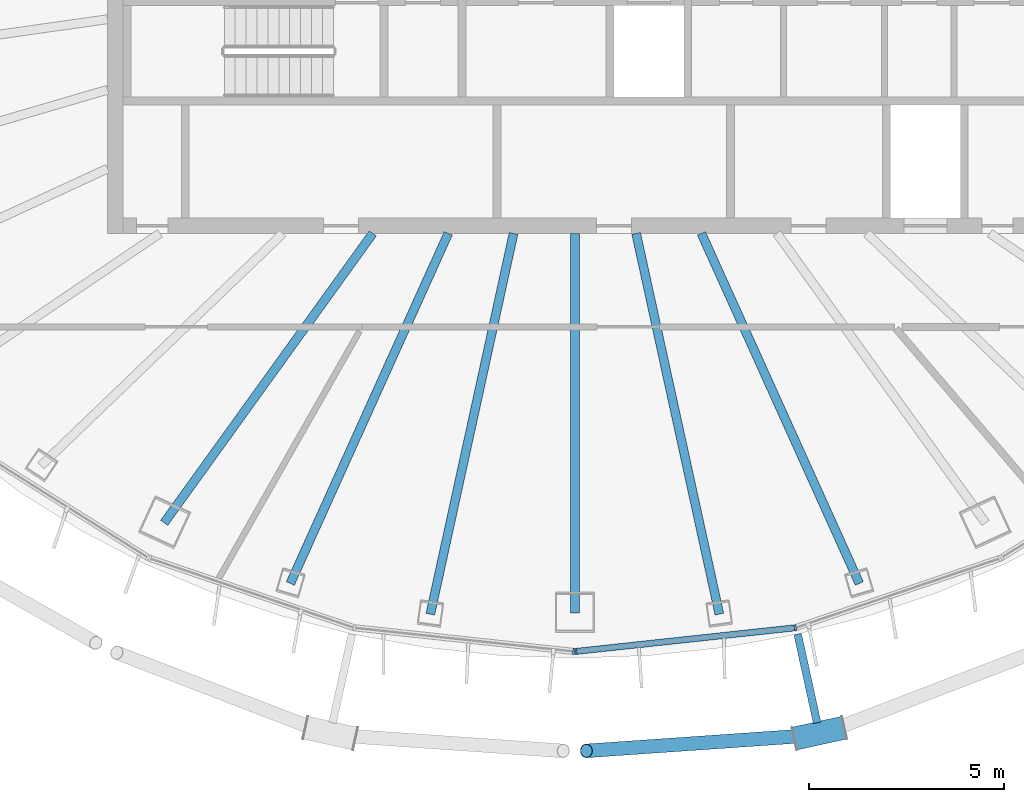
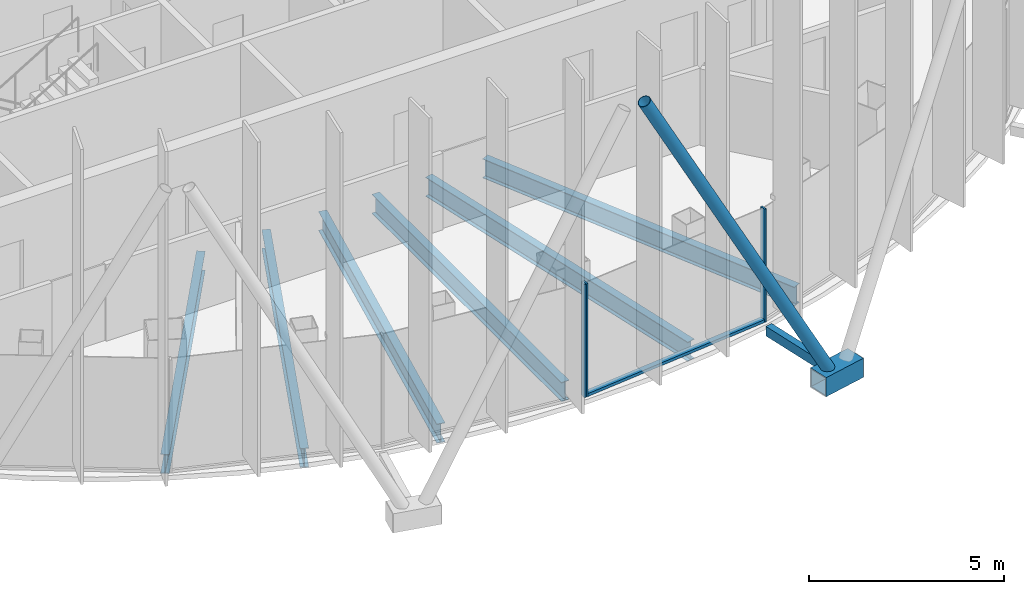
# One storey, part 3 of 19: 7 members, 6 beams, 2 elements without a shape of their own.
"""IFC4 building model written with IfcOpenShell, lengths in metres."""

from ifc_helpers import new_model, si_unit, direction, frame, origin, origin_2d, place, context, subcontext, project, spatial, rectangle, hollow_rectangle, hollow_circle, i_section, extrude, material, layer, layer_set, material_profile, profile_set, type_object, element, aggregate, save


model = new_model("IFC4")

# Units and contexts
model_context = context("Model", 3, precision=1e-05, world=origin(), true_north=direction((0.0, 1.0)))
body_context = subcontext(model_context, "Body", "Model", "MODEL_VIEW")
ifc_project = project(units=[si_unit("LENGTHUNIT", "METRE"), si_unit("AREAUNIT", "SQUARE_METRE"), si_unit("VOLUMEUNIT", "CUBIC_METRE"), si_unit("PLANEANGLEUNIT", "RADIAN"), si_unit("MASSUNIT", "GRAM", prefix="KILO")], contexts=[model_context])

# Site, building, storey
site_placement = place(None, origin())
site = spatial("IfcSite", under=ifc_project, at=site_placement, CompositionType="ELEMENT")
building_placement = place(site_placement, origin())
building = spatial("IfcBuilding", under=site, at=building_placement, Name="Siaravel Broadcast Tower", CompositionType="ELEMENT")
storey_placement = place(building_placement, frame((0.0, 0.0, 217.10009765625)))
storey = spatial("IfcBuildingStorey", under=building, at=storey_placement, Name="L52", CompositionType="ELEMENT", Elevation=217.10009765625)

# Beams
ifc_material_1 = material(Name="Steel S355", Category="steel")
ifc_material_profile_1 = material_profile(ifc_material_1, i_section(OverallWidth=0.2275390625, OverallDepth=0.6025390625, WebThickness=0.010498046875, FlangeThickness=0.014892578125, FilletRadius=0.0126953125, at=origin_2d()))
ifc_profile_set_1 = profile_set([ifc_material_profile_1], Name="Steel S355")
beam_type = type_object("IfcBeamType", Name="BM-UB 610x229x101", PredefinedType="BEAM", material=ifc_profile_set_1)
beam_1_placement = place(storey_placement, frame((-10.5439453125, -14.6318359375, -0.451416015625), z_axis=(0.584629048, 0.811300731, 0.0), x_axis=(-0.811300731, 0.584629048, 0.0)))
element("IfcBeam", 1, at=beam_1_placement, inside=storey, type_object=beam_type, Name="Radial beam RB25", PredefinedType="BEAM", context=body_context, shape_type="SweptSolid", body=[
    extrude(i_section(OverallWidth=0.2275390625, OverallDepth=0.6025390625, WebThickness=0.010498046875, FlangeThickness=0.014892578125, FilletRadius=0.0126953125, at=origin_2d()), origin(), (0.0, 0.0, 1.0), 9.160400390625),
])
beam_2_placement = place(storey_placement, frame((-7.3056640625, -16.188720703125, -0.451416015625), z_axis=(0.411330004, 0.911486493, 0.0), x_axis=(-0.911486493, 0.411330004, 0.0)))
element("IfcBeam", 2, at=beam_2_placement, inside=storey, type_object=beam_type, Name="Radial beam RB26", PredefinedType="BEAM", context=body_context, shape_type="SweptSolid", body=[
    extrude(i_section(OverallWidth=0.2275390625, OverallDepth=0.6025390625, WebThickness=0.010498046875, FlangeThickness=0.014892578125, FilletRadius=0.0126953125, at=origin_2d()), origin(), (0.0, 0.0, 1.0), 9.861572265625),
])
beam_3_placement = place(storey_placement, frame((-3.710693359375, -16.977783203125, -0.451416015625), z_axis=(0.213512097, 0.97694042, 0.0), x_axis=(-0.97694042, 0.213512097, 0.0)))
element("IfcBeam", 3, at=beam_3_placement, inside=storey, type_object=beam_type, Name="Radial beam RB27", PredefinedType="BEAM", context=body_context, shape_type="SweptSolid", body=[
    extrude(i_section(OverallWidth=0.2275390625, OverallDepth=0.6025390625, WebThickness=0.010498046875, FlangeThickness=0.014892578125, FilletRadius=0.0126953125, at=origin_2d()), origin(), (0.0, 0.0, 1.0), 10.008544921875),
])
beam_4_placement = place(storey_placement, frame((0.0, -16.943603515625, -0.451416015625), z_axis=(0.0, 1.0, 0.0), x_axis=(-1.0, 0.0, 0.0)))
element("IfcBeam", 4, at=beam_4_placement, inside=storey, type_object=beam_type, Name="Radial beam RB28", PredefinedType="BEAM", context=body_context, shape_type="SweptSolid", body=[
    extrude(i_section(OverallWidth=0.2275390625, OverallDepth=0.6025390625, WebThickness=0.010498046875, FlangeThickness=0.014892578125, FilletRadius=0.0126953125, at=origin_2d()), origin(), (0.0, 0.0, 1.0), 9.74365234375),
])
beam_5_placement = place(storey_placement, frame((3.710693359375, -16.977783203125, -0.451416015625), z_axis=(-0.213512097, 0.97694042, 0.0), x_axis=(-0.97694042, -0.213512097, 0.0)))
element("IfcBeam", 5, at=beam_5_placement, inside=storey, type_object=beam_type, Name="Radial beam RB29", PredefinedType="BEAM", context=body_context, shape_type="SweptSolid", body=[
    extrude(i_section(OverallWidth=0.2275390625, OverallDepth=0.6025390625, WebThickness=0.010498046875, FlangeThickness=0.014892578125, FilletRadius=0.0126953125, at=origin_2d()), origin(), (0.0, 0.0, 1.0), 10.008544921875),
])
beam_6_placement = place(storey_placement, frame((7.3056640625, -16.188720703125, -0.451416015625), z_axis=(-0.411330004, 0.911486493, 0.0), x_axis=(-0.911486493, -0.411330004, 0.0)))
element("IfcBeam", 6, at=beam_6_placement, inside=storey, type_object=beam_type, Name="Radial beam RB30", PredefinedType="BEAM", context=body_context, shape_type="SweptSolid", body=[
    extrude(i_section(OverallWidth=0.2275390625, OverallDepth=0.6025390625, WebThickness=0.010498046875, FlangeThickness=0.014892578125, FilletRadius=0.0126953125, at=origin_2d()), origin(), (0.0, 0.0, 1.0), 9.861572265625),
])

# Curtain wall, member
ifc_material_2 = material(Name="Aluminium 6063-T6", Category="aluminium")
ifc_layer = layer(ifc_material_2, 0.159912109375)
ifc_layer_set = layer_set([ifc_layer], Name="Aluminium 6063-T6")
curtain_wall_type = type_object("IfcCurtainWallType", Name="Unitised curtain wall, zone 4", PredefinedType="NOTDEFINED", material=ifc_layer_set)
curtain_wall_1_placement = place(storey_placement, origin())
curtain_wall_1 = element("IfcCurtainWall", 7, at=curtain_wall_1_placement, inside=storey, type_object=curtain_wall_type, Name="L52 Unitised curtain wall, zone 4 09", PredefinedType="NOTDEFINED")
ifc_material_profile_2 = material_profile(ifc_material_2, rectangle(XDim=0.159912109375, YDim=0.054931640625, at=origin_2d()))
ifc_profile_set_2 = profile_set([ifc_material_profile_2], Name="Aluminium 6063-T6")
member_type_1 = type_object("IfcMemberType", Name="CW-Z4 mullion", PredefinedType="MULLION", material=ifc_profile_set_2)
member_1_placement = place(storey_placement, frame((-0.02734375, -17.933349609375, 0.0), z_axis=(0.0, 0.0, 1.0), x_axis=(0.107217705, 0.994235568, 0.0)))
member_1 = element("IfcMember", 8, at=member_1_placement, type_object=member_type_1, Name="CW-Z4 mullion 3", PredefinedType="MULLION", context=body_context, shape_type="SweptSolid", body=[
    extrude(rectangle(XDim=0.159912109375, YDim=0.054931640625, at=origin_2d()), origin(), (0.0, 0.0, 1.0), 3.5498046875),
])
aggregate(curtain_wall_1, [member_1])

# Curtain wall, members
curtain_wall_2_placement = place(storey_placement, origin())
curtain_wall_2 = element("IfcCurtainWall", 9, at=curtain_wall_2_placement, inside=storey, type_object=curtain_wall_type, Name="L52 Unitised curtain wall, zone 4 10", PredefinedType="NOTDEFINED")
member_2_placement = place(storey_placement, frame((0.02734375, -17.933349609375, 0.0), z_axis=(0.0, 0.0, 1.0), x_axis=(-0.107217705, 0.994235568, 0.0)))
member_2 = element("IfcMember", 10, at=member_2_placement, type_object=member_type_1, Name="CW-Z4 mullion 1", PredefinedType="MULLION", context=body_context, shape_type="SweptSolid", body=[
    extrude(rectangle(XDim=0.159912109375, YDim=0.054931640625, at=origin_2d()), origin(), (0.0, 0.0, 1.0), 3.5498046875),
])
member_3_placement = place(storey_placement, frame((5.662353515625, -17.32568359375, 0.0), z_axis=(0.0, 0.0, 1.0), x_axis=(-0.215558493, 0.97649093, 0.0)))
member_3 = element("IfcMember", 11, at=member_3_placement, type_object=member_type_1, Name="CW-Z4 mullion 2", PredefinedType="MULLION", context=body_context, shape_type="SweptSolid", body=[
    extrude(rectangle(XDim=0.159912109375, YDim=0.054931640625, at=origin_2d()), origin(), (0.0, 0.0, 1.0), 3.5498046875),
])
ifc_material_profile_3 = material_profile(ifc_material_2, rectangle(XDim=0.159912109375, YDim=0.090087890625, at=origin_2d()))
ifc_profile_set_3 = profile_set([ifc_material_profile_3], Name="Aluminium 6063-T6")
member_type_2 = type_object("IfcMemberType", Name="CW-Z4 transom", PredefinedType="USERDEFINED", material=ifc_profile_set_3)
member_4_placement = place(storey_placement, frame((0.0546875, -17.930419921875, 0.044921875), z_axis=(0.994235028, 0.107222704, 0.0), x_axis=(-0.107222704, 0.994235028, 0.0)))
member_4 = element("IfcMember", 12, at=member_4_placement, type_object=member_type_2, Name="CW-Z4 transom 1", ObjectType="TRANSOM", PredefinedType="USERDEFINED", context=body_context, shape_type="SweptSolid", body=[
    extrude(rectangle(XDim=0.159912109375, YDim=0.090087890625, at=origin_2d()), origin(), (0.0, 0.0, 1.0), 5.61279296875),
])
aggregate(curtain_wall_2, [member_2, member_3, member_4])

# Members
ifc_material_3 = material(Name="Steel S460", Category="steel")
ifc_material_profile_4 = material_profile(ifc_material_3, hollow_circle(Radius=0.177734375, WallThickness=0.012451171875, at=origin_2d()))
ifc_profile_set_4 = profile_set([ifc_material_profile_4], Name="Steel S460")
member_type_3 = type_object("IfcMemberType", Name="Diagrid diagonal CHS 355.6x12.5", PredefinedType="BRACE", material=ifc_profile_set_4)
member_5_placement = place(storey_placement, frame((5.990234375, -20.093505859375, 0.06982421875), z_axis=(-0.472653432, -0.032604475, 0.880645037), x_axis=(0.068818238, -0.997629215, 0.0)))
element("IfcMember", 13, at=member_5_placement, inside=storey, type_object=member_type_3, Name="Diagrid diagonal R22 station 57C", PredefinedType="BRACE", context=body_context, shape_type="SweptSolid", body=[
    extrude(hollow_circle(Radius=0.177734375, WallThickness=0.012451171875, at=origin_2d()), origin(), (0.0, 0.0, 1.0), 12.048095703125),
])
ifc_material_profile_5 = material_profile(ifc_material_3, hollow_rectangle(XDim=0.60009765625, YDim=0.60009765625, WallThickness=0.031982421875, at=origin_2d()))
ifc_profile_set_5 = profile_set([ifc_material_profile_5], Name="Steel S460")
member_type_4 = type_object("IfcMemberType", Name="Diagrid node BOX 600x600x32", PredefinedType="USERDEFINED", material=ifc_profile_set_5)
member_6_placement = place(storey_placement, frame((5.647216796875, -20.168701171875, -0.2001953125), z_axis=(0.976743379, 0.214411687, 0.0), x_axis=(-0.214411687, 0.976743379, 0.0)))
element("IfcMember", 14, at=member_6_placement, inside=storey, type_object=member_type_4, Name="Diagrid node R22 station 57", ObjectType="DIAGRID NODE", PredefinedType="USERDEFINED", context=body_context, shape_type="SweptSolid", body=[
    extrude(hollow_rectangle(XDim=0.60009765625, YDim=0.60009765625, WallThickness=0.031982421875, at=origin_2d()), origin(), (0.0, 0.0, 1.0), 1.29345703125),
])
ifc_material_profile_6 = material_profile(ifc_material_3, hollow_rectangle(XDim=0.199951171875, YDim=0.300048828125, WallThickness=0.012451171875, at=origin_2d()))
ifc_profile_set_6 = profile_set([ifc_material_profile_6], Name="Steel S460")
member_type_5 = type_object("IfcMemberType", Name="Diagrid node arm RHS 300x200x12.5", PredefinedType="STRUT", material=ifc_profile_set_6)
member_7_placement = place(storey_placement, frame((5.721435546875, -17.490478515625, -0.2001953125), z_axis=(0.214378037, -0.976750765, 0.0), x_axis=(0.976750765, 0.214378037, 0.0)))
element("IfcMember", 15, at=member_7_placement, inside=storey, type_object=member_type_5, Name="Node arm R22 station 57", PredefinedType="STRUT", context=body_context, shape_type="SweptSolid", body=[
    extrude(hollow_rectangle(XDim=0.199951171875, YDim=0.300048828125, WallThickness=0.012451171875, at=origin_2d()), origin(), (0.0, 0.0, 1.0), 2.330078125),
])

save(model, "model.ifc")
